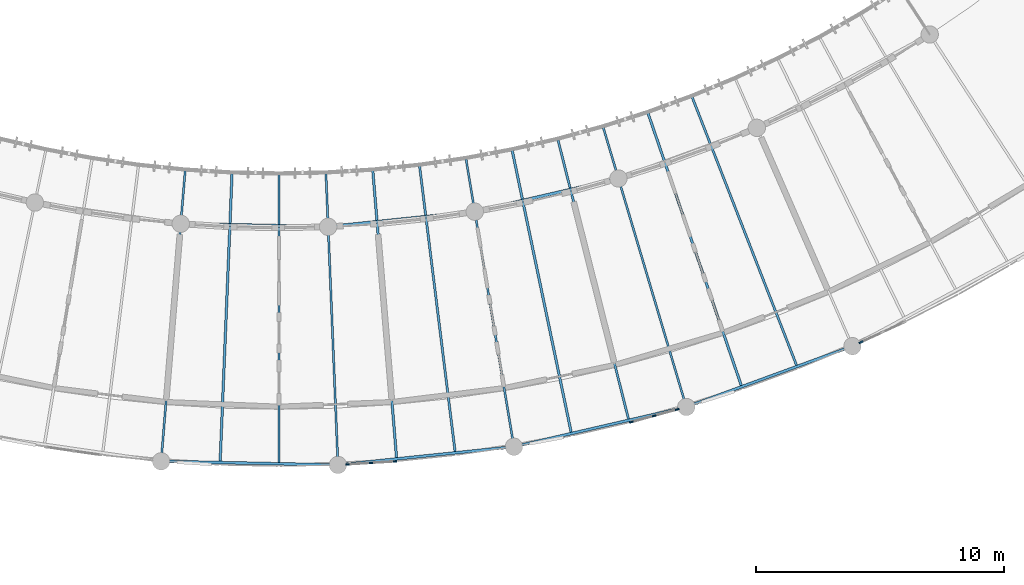
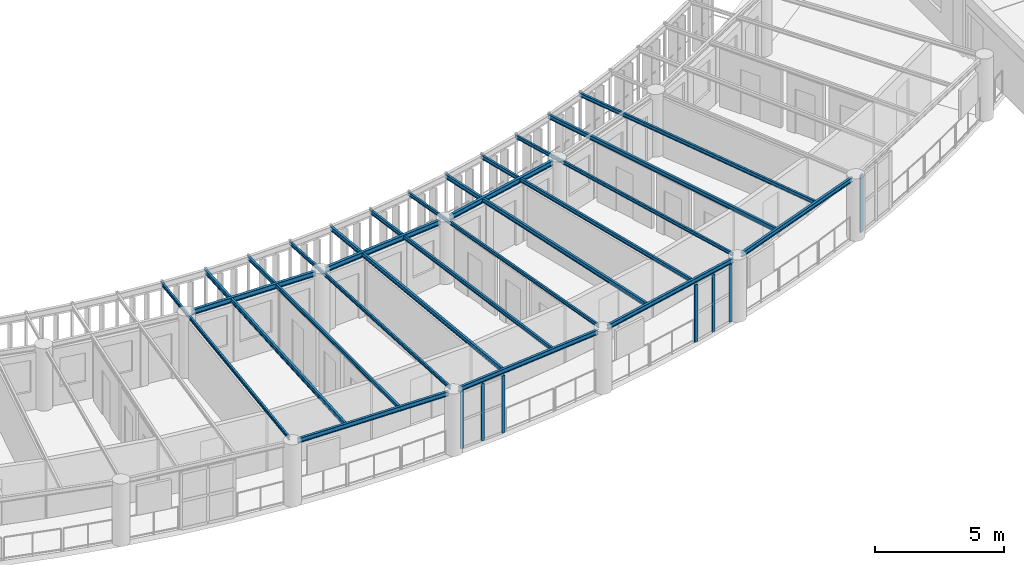
# One storey, part 16 of 100: 19 beams, 7 members, 3 elements without a shape of their own.
"""IFC4 building model written with IfcOpenShell, lengths in metres."""

import ifcopenshell
import ifcopenshell.guid

model = None  # the IFC model being written
_history = None  # IfcOwnerHistory: only IFC2X3 demands one
_inside = {}  # id of a spatial element -> (the spatial element, [elements in it])
_under = {}  # id of a project, library or spatial element -> (it, [spatial elements below it])
_declared = {}  # id of a project -> (the project, [libraries it declares])
_typed = {}  # id of a type object -> (the type object, [elements of that type])
_made_of = {}  # id of a material, layer set ... -> (it, [elements and type objects made of it])


def new_model(schema):
    """Start an empty IFC model of exactly this schema.

    Asked for "IFC4X3", IfcOpenShell would pick the latest addendum, in which some entities
    have other attributes; the version numbers below select the first issue.
    IFC2X3 requires an IfcOwnerHistory on every rooted entity: one is made here for all.
    """
    global model, _history
    if schema == "IFC4X3":
        model = ifcopenshell.file(schema_version=(4, 3, 0, 0))
    else:
        model = ifcopenshell.file(schema=schema)
    _inside.clear()
    _under.clear()
    _declared.clear()
    _typed.clear()
    _made_of.clear()
    _history = None
    if model.schema == "IFC2X3":
        org = make("IfcOrganization", Name="unknown")
        user = make(
            "IfcPersonAndOrganization",
            ThePerson=make("IfcPerson", FamilyName="unknown"),
            TheOrganization=org,
        )
        app = make(
            "IfcApplication",
            ApplicationDeveloper=org,
            Version="unknown",
            ApplicationFullName="unknown",
            ApplicationIdentifier="unknown",
        )
        _history = make(
            "IfcOwnerHistory",
            OwningUser=user,
            OwningApplication=app,
            ChangeAction="ADDED",
            CreationDate=0,
        )
    return model


def make(cls, **values):
    """One entity of the class cls with the attributes given. An attribute that is None is left unset."""
    return model.create_entity(
        cls, **{name: value for name, value in values.items() if value is not None}
    )


def rooted(cls, **values):
    """An entity with a GlobalId (a new one), such as an element, a storey or a relation."""
    return make(cls, GlobalId=ifcopenshell.guid.new(), OwnerHistory=_history, **values)


def si_unit(unit_type, name, prefix=None):
    """IfcSIUnit, for example si_unit("LENGTHUNIT", "METRE", prefix="MILLI")."""
    return make("IfcSIUnit", UnitType=unit_type, Prefix=prefix, Name=name)


def assignment(units):
    """IfcUnitAssignment: the units of a project."""
    return None if units is None else make("IfcUnitAssignment", Units=units)


def point(xyz):
    """IfcCartesianPoint."""
    return None if xyz is None else make("IfcCartesianPoint", Coordinates=xyz)


def direction(xyz):
    """IfcDirection."""
    return None if xyz is None else make("IfcDirection", DirectionRatios=xyz)


def frame(location, z_axis=None, x_axis=None):
    """IfcAxis2Placement3D, a coordinate frame: its origin and axes. An axis left out is left unset."""
    return make(
        "IfcAxis2Placement3D",
        Location=point(location),
        Axis=direction(z_axis),
        RefDirection=direction(x_axis),
    )


def frame_2d(location, x_axis=None):
    """IfcAxis2Placement2D, a coordinate frame in the plane: its origin and x axis."""
    return make(
        "IfcAxis2Placement2D", Location=point(location), RefDirection=direction(x_axis)
    )


def origin():
    """The frame at (0, 0, 0) with its axes left unset."""
    return frame((0.0, 0.0, 0.0))


def origin_2d():
    """The frame at (0, 0) in the plane with its x axis left unset."""
    return frame_2d((0.0, 0.0))


def place(relative_to, where):
    """IfcLocalPlacement: puts the frame where relative to a parent placement (None: the world)."""
    return make(
        "IfcLocalPlacement", PlacementRelTo=relative_to, RelativePlacement=where
    )


def context(
    kind, dimensions, precision=None, world=None, true_north=None, identifier=None
):
    """IfcGeometricRepresentationContext, for example the 3D "Model" context."""
    return make(
        "IfcGeometricRepresentationContext",
        ContextIdentifier=identifier,
        ContextType=kind,
        CoordinateSpaceDimension=dimensions,
        Precision=precision,
        WorldCoordinateSystem=world,
        TrueNorth=true_north,
    )


def subcontext(parent, identifier, kind, view, scale=None):
    """IfcGeometricRepresentationSubContext, for example "Body" below "Model"."""
    return make(
        "IfcGeometricRepresentationSubContext",
        ContextIdentifier=identifier,
        ContextType=kind,
        ParentContext=parent,
        TargetScale=scale,
        TargetView=view,
    )


def project(units=None, contexts=None):
    """IfcProject with its units and contexts."""
    return rooted(
        "IfcProject",
        Name="project",
        RepresentationContexts=contexts,
        UnitsInContext=assignment(units),
    )


def spatial(cls, under=None, at=None, **own):
    """A site, building, storey or space (cls), placed at a placement, below another one or the project."""
    s = rooted(cls, ObjectPlacement=at, **own)
    if under is not None:
        _under.setdefault(under.id(), (under, []))[1].append(s)
    return s


def profile(cls, at=None, kind="AREA", **sizes):
    """A parametric profile (cls). Its sizes go by their IFC names, for example OverallWidth=200.0."""
    return make(cls, ProfileType=kind, Position=at, **sizes)


def rectangle(**sizes):
    """IfcRectangleProfileDef."""
    return profile("IfcRectangleProfileDef", **sizes)


def i_section(**sizes):
    """IfcIShapeProfileDef."""
    return profile("IfcIShapeProfileDef", **sizes)


def extrude(swept, where, along, depth):
    """IfcExtrudedAreaSolid: the profile swept, set in the frame where, extruded along a direction by depth."""
    return make(
        "IfcExtrudedAreaSolid",
        SweptArea=swept,
        Position=where,
        ExtrudedDirection=direction(along),
        Depth=depth,
    )


def shape(context_of_items, identifier, shape_type, items):
    """IfcShapeRepresentation: the items that make up one representation, for example the "Body"."""
    return make(
        "IfcShapeRepresentation",
        ContextOfItems=context_of_items,
        RepresentationIdentifier=identifier,
        RepresentationType=shape_type,
        Items=items,
    )


def material(Name=None, Category=None):
    """IfcMaterial."""
    return make("IfcMaterial", Name=Name, Category=Category)


def layer(
    of_material, thickness, ventilated=None, Name=None, Category=None, Priority=None
):
    """IfcMaterialLayer: one layer of a wall or slab, of a material (None: an air gap)."""
    return make(
        "IfcMaterialLayer",
        Material=of_material,
        LayerThickness=thickness,
        IsVentilated=ventilated,
        Name=Name,
        Category=Category,
        Priority=Priority,
    )


def layer_set(layers, Name=None):
    """IfcMaterialLayerSet."""
    return make("IfcMaterialLayerSet", MaterialLayers=layers, LayerSetName=Name)


def material_profile(
    of_material, cross_section, Name=None, Category=None, Priority=None
):
    """IfcMaterialProfile: a cross section and its material."""
    return make(
        "IfcMaterialProfile",
        Name=Name,
        Material=of_material,
        Profile=cross_section,
        Priority=Priority,
        Category=Category,
    )


def profile_set(profiles, Name=None, composite=None):
    """IfcMaterialProfileSet."""
    return make(
        "IfcMaterialProfileSet",
        Name=Name,
        MaterialProfiles=profiles,
        CompositeProfile=composite,
    )


def made_of(thing, what):
    """Note that an element or type object is made of a material, layer set ...; save() writes the relation."""
    if what is not None:
        _made_of.setdefault(what.id(), (what, []))[1].append(thing)
    return thing


def type_object(cls, material=None, **own):
    """A type object (cls), such as IfcWallType, which elements share."""
    return made_of(rooted(cls, **own), material)


def element(
    cls,
    number,
    at=None,
    inside=None,
    cuts=None,
    type_object=None,
    material=None,
    context=None,
    identifier="Body",
    shape_type=None,
    held_by="IfcProductDefinitionShape",
    body=None,
    shapes=None,
    **own,
):
    """One element of the class cls, such as IfcWall. Its Tag is "e" and its number.

    at: its placement. inside: the storey or other place that contains it. cuts: it is an
    opening in that element (IfcRelVoidsElement). A single representation is given by context,
    identifier, shape_type and body (its items); several are given by shapes. held_by: the class
    of the entity that holds the representations. save() writes the other relations.
    """
    e = rooted(cls, Tag="e%d" % number, ObjectPlacement=at, **own)
    if body is not None:
        shapes = [shape(context, identifier, shape_type, body)]
    if shapes is not None:
        e.Representation = make(held_by, Representations=shapes)
    if inside is not None:
        _inside.setdefault(inside.id(), (inside, []))[1].append(e)
    if cuts is not None:
        rooted(
            "IfcRelVoidsElement", RelatingBuildingElement=cuts, RelatedOpeningElement=e
        )
    if type_object is not None:
        _typed.setdefault(type_object.id(), (type_object, []))[1].append(e)
    return made_of(e, material)


def aggregate(whole, parts):
    """IfcRelAggregates: a whole, such as a stair, and the parts it consists of."""
    return rooted("IfcRelAggregates", RelatingObject=whole, RelatedObjects=parts)


def save(model, path):
    """Write the relations noted so far, then the file.

    IfcRelAggregates (storeys below a building ...), IfcRelContainedInSpatialStructure (elements
    in a storey), IfcRelDefinesByType, IfcRelAssociatesMaterial and IfcRelDeclares: one each for
    every whole, place, type object, material and project.
    """
    for whole, parts in _under.values():
        aggregate(whole, parts)
    for where, things in _inside.values():
        rooted(
            "IfcRelContainedInSpatialStructure",
            RelatedElements=things,
            RelatingStructure=where,
        )
    for kind, things in _typed.values():
        rooted("IfcRelDefinesByType", RelatedObjects=things, RelatingType=kind)
    for what, things in _made_of.values():
        rooted("IfcRelAssociatesMaterial", RelatedObjects=things, RelatingMaterial=what)
    for by, libraries in _declared.values():
        rooted("IfcRelDeclares", RelatingContext=by, RelatedDefinitions=libraries)
    model.write(path)


model = new_model("IFC4")

# Units and contexts
model_context = context("Model", 3, precision=1e-05, world=origin(), true_north=direction((0.0, 1.0)))
body_context = subcontext(model_context, "Body", "Model", "MODEL_VIEW")
ifc_project = project(units=[si_unit("LENGTHUNIT", "METRE"), si_unit("AREAUNIT", "SQUARE_METRE"), si_unit("VOLUMEUNIT", "CUBIC_METRE"), si_unit("PLANEANGLEUNIT", "RADIAN"), si_unit("MASSUNIT", "GRAM", prefix="KILO"), si_unit("POWERUNIT", "WATT"), si_unit("THERMODYNAMICTEMPERATUREUNIT", "KELVIN")], contexts=[model_context])

# Site, building, storey
site_placement = place(None, origin())
site = spatial("IfcSite", under=ifc_project, at=site_placement, CompositionType="ELEMENT")
building_placement = place(site_placement, origin())
building = spatial("IfcBuilding", under=site, at=building_placement, Name="Ruvembo Vaulted Housing Court", CompositionType="ELEMENT")
storey_placement = place(building_placement, frame((0.0, 0.0, 10.89990234375)))
storey = spatial("IfcBuildingStorey", under=building, at=storey_placement, Name="L03", CompositionType="ELEMENT", Elevation=10.89990234375)

# Beams
ifc_material_1 = material(Name="Steel S355J2", Category="steel")
ifc_material_profile_1 = material_profile(ifc_material_1, i_section(OverallWidth=0.08203125, OverallDepth=0.159912109375, WebThickness=0.0048828125, FlangeThickness=0.00732421875, FilletRadius=0.009033203125, at=origin_2d()), Name="IPE 160")
ifc_profile_set_1 = profile_set([ifc_material_profile_1], Name="Steel S355J2")
beam_type_1 = type_object("IfcBeamType", Name="BM-ST-IPE160", PredefinedType="JOIST", material=ifc_profile_set_1)
for number, where, z_axis, x_axis, name in (
    (1, (64.27197265625, 4.8251953125, 2.860107421875), (0.082410260581, 0.996598489338, 0.0), (-0.996598489338, 0.082410260581, 0.0), "Scoop SC2 L03 Radial Steel Joist 12"),
    (2, (71.365966796875, 4.6787109375, 2.860107421875), (-0.041236073555, 0.999149431385, 0.0), (-0.999149431385, -0.041236073555, 0.0), "Scoop SC2 L03 Radial Steel Joist 15"),
    (3, (78.423828125, 5.4091796875, 2.860107421875), (-0.164272816363, 0.986414944029, 0.0), (-0.986414944029, -0.164272816363, 0.0), "Scoop SC2 L03 Radial Steel Joist 18"),
):
    element("IfcBeam", number, at=place(storey_placement, frame(where, z_axis=z_axis, x_axis=x_axis)), inside=storey, type_object=beam_type_1, Name=name, PredefinedType="JOIST", context=body_context, shape_type="SweptSolid", body=[
        extrude(i_section(OverallWidth=0.08203125, OverallDepth=0.159912109375, WebThickness=0.0048828125, FlangeThickness=0.00732421875, FilletRadius=0.009033203125, at=origin_2d()), origin(), (0.0, 0.0, 1.0), 11.610107421875),
    ])
beam_1_placement = place(storey_placement, frame((85.337646484375, 7.005615234375, 2.860107421875), z_axis=(-0.28479063066, 0.95858974368, 0.0), x_axis=(-0.95858974368, -0.28479063066, 0.0)))
element("IfcBeam", 4, at=beam_1_placement, inside=storey, type_object=beam_type_1, Name="Scoop SC2 L03 Radial Steel Joist 21", PredefinedType="JOIST", context=body_context, shape_type="SweptSolid", body=[
    extrude(i_section(OverallWidth=0.08203125, OverallDepth=0.159912109375, WebThickness=0.0048828125, FlangeThickness=0.00732421875, FilletRadius=0.009033203125, at=origin_2d()), origin(), (0.0, 0.0, 1.0), 11.60986328125),
])
ifc_material_profile_2 = material_profile(ifc_material_1, i_section(OverallWidth=0.091064453125, OverallDepth=0.179931640625, WebThickness=0.00537109375, FlangeThickness=0.008056640625, FilletRadius=0.009033203125, at=origin_2d()), Name="IPE 180")
ifc_profile_set_2 = profile_set([ifc_material_profile_2], Name="Steel S355J2")
beam_type_2 = type_object("IfcBeamType", Name="BM-ST-IPE180", PredefinedType="JOIST", material=ifc_profile_set_2)
beam_2_placement = place(storey_placement, frame((69.0, 4.548095703125, 2.85009765625), z_axis=(0.0, 1.0, 0.0), x_axis=(-1.0, 0.0, 0.0)))
element("IfcBeam", 5, at=beam_2_placement, inside=storey, type_object=beam_type_2, Name="Scoop SC2 L03 Radial Steel Joist 14", PredefinedType="JOIST", context=body_context, shape_type="SweptSolid", body=[
    extrude(i_section(OverallWidth=0.091064453125, OverallDepth=0.179931640625, WebThickness=0.00537109375, FlangeThickness=0.008056640625, FilletRadius=0.009033203125, at=origin_2d()), origin(), (0.0, 0.0, 1.0), 11.69189453125),
])
beam_3_placement = place(storey_placement, frame((76.092041015625, 4.9873046875, 2.85009765625), z_axis=(-0.123446200649, 0.992351266208, 0.0), x_axis=(-0.992351266208, -0.123446200649, 0.0)))
element("IfcBeam", 6, at=beam_3_placement, inside=storey, type_object=beam_type_2, Name="Scoop SC2 L03 Radial Steel Joist 17", PredefinedType="JOIST", context=body_context, shape_type="SweptSolid", body=[
    extrude(i_section(OverallWidth=0.091064453125, OverallDepth=0.179931640625, WebThickness=0.00537109375, FlangeThickness=0.008056640625, FilletRadius=0.009033203125, at=origin_2d()), origin(), (0.0, 0.0, 1.0), 11.692138671875),
])
for number, where, z_axis, x_axis, name in (
    (7, (83.07568359375, 6.299072265625, 2.85009765625), (-0.24500130138, 0.96952274977, 0.0), (-0.96952274977, -0.24500130138, 0.0), "Scoop SC2 L03 Radial Steel Joist 20"),
    (8, (89.843994140625, 8.462646484375, 2.85009765625), (-0.362810002235, 0.93186313495, 0.0), (-0.93186313495, -0.362810002235, 0.0), "Scoop SC2 L03 Radial Steel Joist 23"),
):
    element("IfcBeam", number, at=place(storey_placement, frame(where, z_axis=z_axis, x_axis=x_axis)), inside=storey, type_object=beam_type_2, Name=name, PredefinedType="JOIST", context=body_context, shape_type="SweptSolid", body=[
        extrude(i_section(OverallWidth=0.091064453125, OverallDepth=0.179931640625, WebThickness=0.00537109375, FlangeThickness=0.008056640625, FilletRadius=0.009033203125, at=origin_2d()), origin(), (0.0, 0.0, 1.0), 11.69189453125),
    ])
ifc_material_profile_3 = material_profile(ifc_material_1, i_section(OverallWidth=0.10009765625, OverallDepth=0.199951171875, WebThickness=0.005615234375, FlangeThickness=0.008544921875, FilletRadius=0.011962890625, at=origin_2d()), Name="IPE 200")
ifc_profile_set_3 = profile_set([ifc_material_profile_3], Name="Steel S355J2")
beam_type_3 = type_object("IfcBeamType", Name="BM-ST-IPE200", PredefinedType="BEAM", material=ifc_profile_set_3)
for number, where, z_axis, x_axis, name in (
    (9, (66.630615234375, 4.596923828125, 2.840087890625), (0.041239703888, 0.999149281551, 0.0), (-0.999149281551, 0.041239703888, 0.0), "Scoop SC2 L03 Radial Steel Joist 13"),
    (10, (73.73486328125, 4.743408203125, 2.840087890625), (-0.082416447745, 0.996597977693, 0.0), (-0.996597977693, -0.082416447745, 0.0), "Scoop SC2 L03 Radial Steel Joist 16"),
):
    element("IfcBeam", number, at=place(storey_placement, frame(where, z_axis=z_axis, x_axis=x_axis)), inside=storey, type_object=beam_type_3, Name=name, PredefinedType="BEAM", context=body_context, shape_type="SweptSolid", body=[
        extrude(i_section(OverallWidth=0.10009765625, OverallDepth=0.199951171875, WebThickness=0.005615234375, FlangeThickness=0.008544921875, FilletRadius=0.011962890625, at=origin_2d()), origin(), (0.0, 0.0, 1.0), 11.692138671875),
    ])
beam_4_placement = place(storey_placement, frame((80.7666015625, 5.765869140625, 2.840087890625), z_axis=(-0.204822214104, 0.9787991932, 0.0), x_axis=(-0.9787991932, -0.204822214104, 0.0)))
element("IfcBeam", 11, at=beam_4_placement, inside=storey, type_object=beam_type_3, Name="Scoop SC2 L03 Radial Steel Joist 19", PredefinedType="BEAM", context=body_context, shape_type="SweptSolid", body=[
    extrude(i_section(OverallWidth=0.10009765625, OverallDepth=0.199951171875, WebThickness=0.005615234375, FlangeThickness=0.008544921875, FilletRadius=0.011962890625, at=origin_2d()), origin(), (0.0, 0.0, 1.0), 11.69189453125),
])
beam_5_placement = place(storey_placement, frame((87.618408203125, 7.6484375, 2.840087890625), z_axis=(-0.324072338174, 0.946032303693, 0.0), x_axis=(-0.946032303693, -0.324072338174, 0.0)))
element("IfcBeam", 12, at=beam_5_placement, inside=storey, type_object=beam_type_3, Name="Scoop SC2 L03 Radial Steel Joist 22", PredefinedType="BEAM", context=body_context, shape_type="SweptSolid", body=[
    extrude(i_section(OverallWidth=0.10009765625, OverallDepth=0.199951171875, WebThickness=0.005615234375, FlangeThickness=0.008544921875, FilletRadius=0.011962890625, at=origin_2d()), origin(), (0.0, 0.0, 1.0), 11.692138671875),
])
ifc_material_profile_4 = material_profile(ifc_material_1, i_section(OverallWidth=0.110107421875, OverallDepth=0.219970703125, WebThickness=0.005859375, FlangeThickness=0.00927734375, FilletRadius=0.011962890625, at=origin_2d()), Name="IPE 220")
ifc_profile_set_4 = profile_set([ifc_material_profile_4], Name="Steel S355J2")
beam_type_4 = type_object("IfcBeamType", Name="BM-ST-IPE220", PredefinedType="SPANDREL", material=ifc_profile_set_4)
for number, where, z_axis, x_axis, name in (
    (13, (64.48291015625, 4.59130859375, 2.83203125), (0.999786507784, -0.020662498732, 0.0), (0.020662498732, 0.999786507784, 0.0), "Scoop SC2 L03 Chord Girder B12"),
    (14, (71.604248046875, 4.47265625, 2.83203125), (0.994687008603, 0.102945397745, 0.0), (-0.102945397745, 0.994687008603, 0.0), "Scoop SC2 L03 Chord Girder B15"),
    (15, (78.685791015625, 5.234130859375, 2.83203125), (0.974363402743, 0.224979908868, 0.0), (-0.224979908868, 0.974363402743, 0.0), "Scoop SC2 L03 Chord Girder B18"),
    (16, (85.619140625, 6.864013671875, 2.83203125), (0.939142455979, 0.343527942645, 0.0), (-0.343527942645, 0.939142455979, 0.0), "Scoop SC2 L03 Chord Girder B21"),
):
    element("IfcBeam", number, at=place(storey_placement, frame(where, z_axis=z_axis, x_axis=x_axis)), inside=storey, type_object=beam_type_4, Name=name, PredefinedType="SPANDREL", context=body_context, shape_type="SweptSolid", body=[
        extrude(i_section(OverallWidth=0.110107421875, OverallDepth=0.219970703125, WebThickness=0.005859375, FlangeThickness=0.00927734375, FilletRadius=0.011962890625, at=origin_2d()), origin(), (0.0, 0.0, 1.0), 6.6640625),
    ])
ifc_material_profile_5 = material_profile(ifc_material_1, i_section(OverallWidth=0.1201171875, OverallDepth=0.239990234375, WebThickness=0.006103515625, FlangeThickness=0.009765625, FilletRadius=0.014892578125, at=origin_2d()), Name="IPE 240")
ifc_profile_set_5 = profile_set([ifc_material_profile_5], Name="Steel S355J2")
beam_type_5 = type_object("IfcBeamType", Name="BM-ST-IPE240", PredefinedType="BEAM", material=ifc_profile_set_5)
for number, where, z_axis, x_axis, name in (
    (17, (65.274169921875, 14.15869140625, 2.822021484375), (0.999786044132, -0.020684921054, 0.0), (0.020684921054, 0.999786044132, 0.0), "Scoop SC2 L03 Chord Girder F12"),
    (18, (71.20849609375, 14.064453125, 2.822021484375), (0.994683766642, 0.102976717651, 0.0), (-0.102976717651, 0.994683766642, 0.0), "Scoop SC2 L03 Chord Girder F15"),
    (19, (77.10888671875, 14.70361328125, 2.822021484375), (0.974361133797, 0.2249897352, 0.0), (-0.2249897352, 0.974361133797, 0.0), "Scoop SC2 L03 Chord Girder F18"),
):
    element("IfcBeam", number, at=place(storey_placement, frame(where, z_axis=z_axis, x_axis=x_axis)), inside=storey, type_object=beam_type_5, Name=name, PredefinedType="BEAM", context=body_context, shape_type="SweptSolid", body=[
        extrude(i_section(OverallWidth=0.1201171875, OverallDepth=0.239990234375, WebThickness=0.006103515625, FlangeThickness=0.009765625, FilletRadius=0.014892578125, at=origin_2d()), origin(), (0.0, 0.0, 1.0), 5.4765625),
    ])

# Curtain wall, members
ifc_material_2 = material(Name="Anodised Aluminium and Solar-Control Glass", Category="aluminium")
ifc_layer_1 = layer(ifc_material_2, 0.1201171875, Name="Anodised Aluminium and Solar-Control Glass")
ifc_layer_set_1 = layer_set([ifc_layer_1], Name="Anodised Aluminium and Solar-Control Glass")
curtain_wall_type_1 = type_object("IfcCurtainWallType", Name="CW-SCOOP-GAL", PredefinedType="NOTDEFINED", material=ifc_layer_set_1)
curtain_wall_1_placement = place(storey_placement, origin())
curtain_wall_1 = element("IfcCurtainWall", 20, at=curtain_wall_1_placement, inside=storey, type_object=curtain_wall_type_1, Name="L03 Curtain Wall CW-L03-0044", PredefinedType="NOTDEFINED")
ifc_material_3 = material(Name="Anodised Aluminium 6063-T6", Category="aluminium")
ifc_material_profile_6 = material_profile(ifc_material_3, rectangle(XDim=0.06005859375, YDim=0.139892578125, at=origin_2d()), Name="ALU 60x140")
ifc_profile_set_6 = profile_set([ifc_material_profile_6], Name="Anodised Aluminium 6063-T6")
member_type_1 = type_object("IfcMemberType", Name="CW-MUL-60x140", PredefinedType="MULLION", material=ifc_profile_set_6)
member_1_placement = place(storey_placement, frame((71.754638671875, 4.472412109375, 0.0), z_axis=(0.0, 0.0, 1.0), x_axis=(-0.061839538585, 0.998086104235, 0.0)))
member_1 = element("IfcMember", 21, at=member_1_placement, type_object=member_type_1, Name="CW6 mullion 1", PredefinedType="MULLION", context=body_context, shape_type="SweptSolid", body=[
    extrude(rectangle(XDim=0.06005859375, YDim=0.139892578125, at=origin_2d()), origin(), (0.0, 0.0, 1.0), 2.697998046875),
])
member_2_placement = place(storey_placement, frame((72.7109375, 4.53173828125, 0.0), z_axis=(0.0, 0.0, 1.0), x_axis=(-0.061839538585, 0.998086104235, 0.0)))
member_2 = element("IfcMember", 22, at=member_2_placement, type_object=member_type_1, Name="CW6 mullion 2", PredefinedType="MULLION", context=body_context, shape_type="SweptSolid", body=[
    extrude(rectangle(XDim=0.06005859375, YDim=0.139892578125, at=origin_2d()), origin(), (0.0, 0.0, 1.0), 2.697998046875),
])
member_3_placement = place(storey_placement, frame((73.667236328125, 4.591064453125, 0.0), z_axis=(0.0, 0.0, 1.0), x_axis=(-0.061839538585, 0.998086104235, 0.0)))
member_3 = element("IfcMember", 23, at=member_3_placement, type_object=member_type_1, Name="CW6 mullion 3", PredefinedType="MULLION", context=body_context, shape_type="SweptSolid", body=[
    extrude(rectangle(XDim=0.06005859375, YDim=0.139892578125, at=origin_2d()), origin(), (0.0, 0.0, 1.0), 2.697998046875),
])
aggregate(curtain_wall_1, [member_1, member_2, member_3])

# Curtain wall, member
ifc_layer_2 = layer(ifc_material_2, 0.139892578125, Name="Anodised Aluminium and Solar-Control Glass")
ifc_layer_set_2 = layer_set([ifc_layer_2], Name="Anodised Aluminium and Solar-Control Glass")
curtain_wall_type_2 = type_object("IfcCurtainWallType", Name="CW-SCOOP-PAN", PredefinedType="NOTDEFINED", material=ifc_layer_set_2)
curtain_wall_2_placement = place(storey_placement, origin())
curtain_wall_2 = element("IfcCurtainWall", 24, at=curtain_wall_2_placement, inside=storey, type_object=curtain_wall_type_2, Name="L03 Curtain Wall CW-L03-0046", PredefinedType="NOTDEFINED")
ifc_material_profile_7 = material_profile(ifc_material_3, rectangle(XDim=0.06494140625, YDim=0.179931640625, at=origin_2d()), Name="ALU 65x180")
ifc_profile_set_7 = profile_set([ifc_material_profile_7], Name="Anodised Aluminium 6063-T6")
member_type_2 = type_object("IfcMemberType", Name="CW-MUL-65x180", PredefinedType="MULLION", material=ifc_profile_set_7)
member_4_placement = place(storey_placement, frame((92.44091796875, 9.392822265625, 0.0), z_axis=(0.0, 0.0, 1.0), x_axis=(-0.419738421805, 0.907645116365, 0.0)))
member_4 = element("IfcMember", 25, at=member_4_placement, type_object=member_type_2, Name="CW10 mullion 1", PredefinedType="MULLION", context=body_context, shape_type="SweptSolid", body=[
    extrude(rectangle(XDim=0.06494140625, YDim=0.179931640625, at=origin_2d()), origin(), (0.0, 0.0, 1.0), 2.697998046875),
])
aggregate(curtain_wall_2, [member_4])

# Curtain wall, members
curtain_wall_3_placement = place(storey_placement, origin())
curtain_wall_3 = element("IfcCurtainWall", 26, at=curtain_wall_3_placement, inside=storey, type_object=curtain_wall_type_2, Name="L03 Curtain Wall CW-L03-0045", PredefinedType="NOTDEFINED")
ifc_material_profile_8 = material_profile(ifc_material_3, rectangle(XDim=0.06005859375, YDim=0.159912109375, at=origin_2d()), Name="ALU 60x160")
ifc_profile_set_8 = profile_set([ifc_material_profile_8], Name="Anodised Aluminium 6063-T6")
member_type_3 = type_object("IfcMemberType", Name="CW-MULLION-65x150", PredefinedType="MULLION", material=ifc_profile_set_8)
member_5_placement = place(storey_placement, frame((83.189208984375, 6.1767578125, 0.0), z_axis=(0.0, 0.0, 1.0), x_axis=(-0.264975341966, 0.964255188293, 0.0)))
member_5 = element("IfcMember", 27, at=member_5_placement, type_object=member_type_3, Name="CW10 mullion 1", PredefinedType="MULLION", context=body_context, shape_type="SweptSolid", body=[
    extrude(rectangle(XDim=0.06005859375, YDim=0.159912109375, at=origin_2d()), origin(), (0.0, 0.0, 1.0), 2.697998046875),
])
member_6_placement = place(storey_placement, frame((84.11279296875, 6.430419921875, 0.0), z_axis=(0.0, 0.0, 1.0), x_axis=(-0.264975341966, 0.964255188293, 0.0)))
member_6 = element("IfcMember", 28, at=member_6_placement, type_object=member_type_3, Name="CW10 mullion 2", PredefinedType="MULLION", context=body_context, shape_type="SweptSolid", body=[
    extrude(rectangle(XDim=0.06005859375, YDim=0.159912109375, at=origin_2d()), origin(), (0.0, 0.0, 1.0), 2.697998046875),
])
member_7_placement = place(storey_placement, frame((85.03662109375, 6.684326171875, 0.0), z_axis=(0.0, 0.0, 1.0), x_axis=(-0.264975341966, 0.964255188293, 0.0)))
member_7 = element("IfcMember", 29, at=member_7_placement, type_object=member_type_3, Name="CW10 mullion 3", PredefinedType="MULLION", context=body_context, shape_type="SweptSolid", body=[
    extrude(rectangle(XDim=0.06005859375, YDim=0.159912109375, at=origin_2d()), origin(), (0.0, 0.0, 1.0), 2.697998046875),
])
aggregate(curtain_wall_3, [member_5, member_6, member_7])

save(model, "model.ifc")
